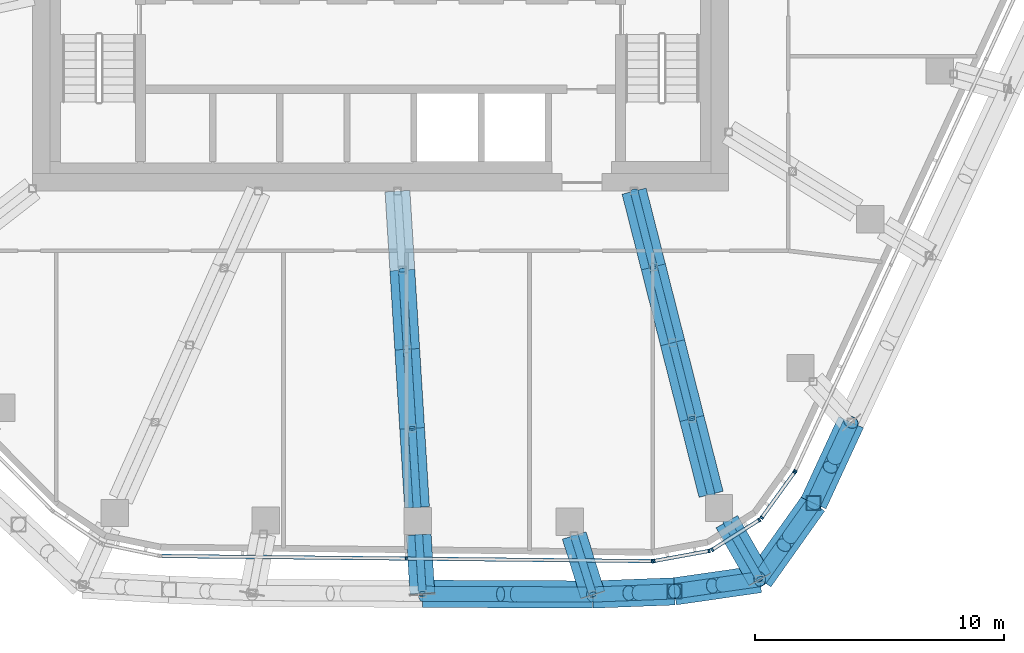
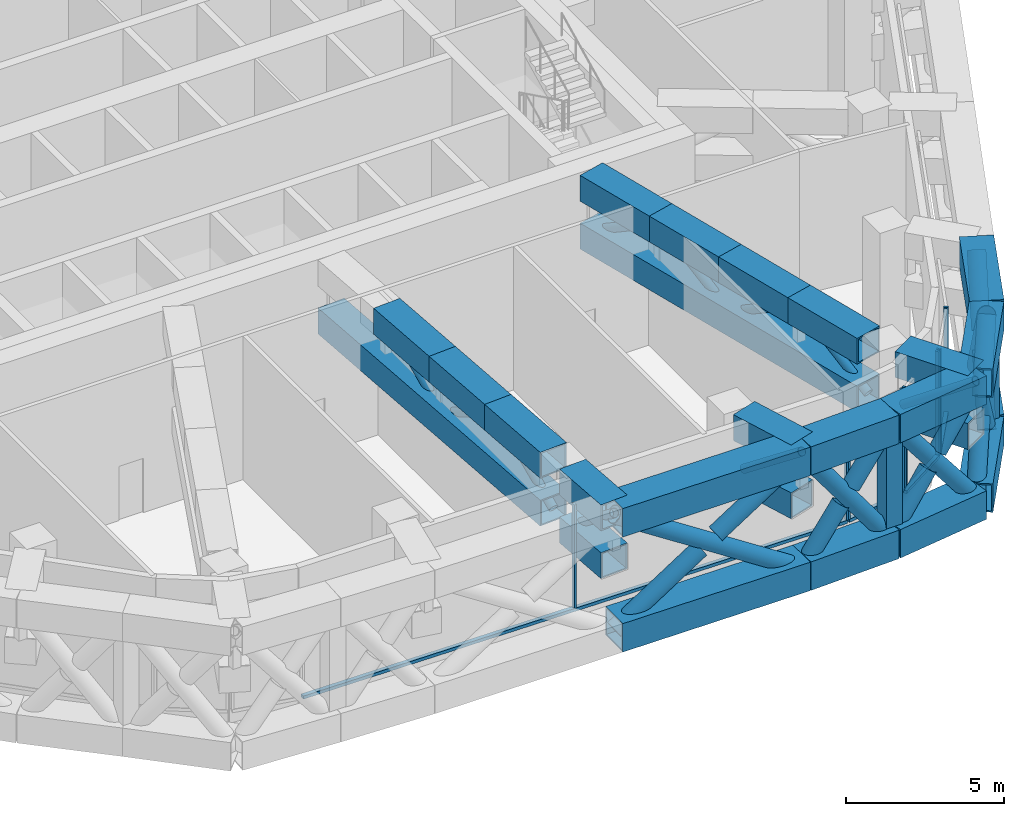
# One storey, part 4 of 31: 65 members, 3 elements without a shape of their own.
"""IFC4 building model written with IfcOpenShell, lengths in metres."""

from ifc_helpers import new_model, si_unit, direction, frame, origin, origin_2d, place, context, subcontext, project, spatial, rectangle, hollow_rectangle, hollow_circle, extrude, material, layer, layer_set, material_profile, profile_set, type_object, element, aggregate, save


model = new_model("IFC4")

# Units and contexts
model_context = context("Model", 3, precision=1e-05, world=origin(), true_north=direction((0.0, 1.0)))
body_context = subcontext(model_context, "Body", "Model", "MODEL_VIEW")
ifc_project = project(units=[si_unit("LENGTHUNIT", "METRE"), si_unit("AREAUNIT", "SQUARE_METRE"), si_unit("VOLUMEUNIT", "CUBIC_METRE"), si_unit("PLANEANGLEUNIT", "RADIAN"), si_unit("MASSUNIT", "GRAM", prefix="KILO")], contexts=[model_context])

# Site, building, storey
site_placement = place(None, origin())
site = spatial("IfcSite", under=ifc_project, at=site_placement, CompositionType="ELEMENT")
building_placement = place(site_placement, origin())
building = spatial("IfcBuilding", under=site, at=building_placement, Name="Dongbaek Canopy Tower", CompositionType="ELEMENT")
storey_placement = place(building_placement, frame((0.0, 0.0, 283.199951171875)))
storey = spatial("IfcBuildingStorey", under=building, at=storey_placement, Name="L60", CompositionType="ELEMENT", Elevation=283.199951171875)

# Members
ifc_material_1 = material(Name="Steel S355", Category="steel")
ifc_material_profile_1 = material_profile(ifc_material_1, hollow_circle(Radius=0.304931640625, WallThickness=0.01611328125, at=origin_2d()), Name="BELT BRACE CHS 610.0x16.0 Steel S355")
ifc_profile_set_1 = profile_set([ifc_material_profile_1], Name="Steel S355")
member_type_1 = type_object("IfcMemberType", Name="BELT BRACE CHS 610.0x16.0 Steel S355", PredefinedType="BRACE", material=ifc_profile_set_1)
member_1_placement = place(storey_placement, frame((18.9248046875, -20.296142578125, 0.550048828125), z_axis=(-0.263589193556, -0.569714815625, 0.778425183238), x_axis=(0.907568709968, -0.419903604042, 0.0)))
element("IfcMember", 1, at=member_1_placement, inside=storey, type_object=member_type_1, Name="BELT:L60:25:D0:0", PredefinedType="BRACE", context=body_context, shape_type="SweptSolid", body=[
    extrude(hollow_circle(Radius=0.304931640625, WallThickness=0.01611328125, at=origin_2d()), origin(), (0.0, 0.0, 1.0), 5.716552734375),
])
member_2_placement = place(storey_placement, frame((17.41796875, -23.552978515625, 0.550048828125), z_axis=(0.263569510646, 0.569708996821, 0.778436106562), x_axis=(-0.907579024773, 0.419881309172, 0.0)))
element("IfcMember", 2, at=member_2_placement, inside=storey, type_object=member_type_1, Name="BELT:L60:25:D0:1", PredefinedType="BRACE", context=body_context, shape_type="SweptSolid", body=[
    extrude(hollow_circle(Radius=0.304931640625, WallThickness=0.01611328125, at=origin_2d()), origin(), (0.0, 0.0, 1.0), 2.54638671875),
])
member_3_placement = place(storey_placement, frame((18.9248046875, -20.296142578125, 5.0), z_axis=(-0.263603583269, -0.569686754529, -0.778440847208), x_axis=(0.907552091124, -0.419939521713, 0.0)))
element("IfcMember", 3, at=member_3_placement, inside=storey, type_object=member_type_1, Name="BELT:L60:25:D0:2", PredefinedType="BRACE", context=body_context, shape_type="SweptSolid", body=[
    extrude(hollow_circle(Radius=0.304931640625, WallThickness=0.01611328125, at=origin_2d()), origin(), (0.0, 0.0, 1.0), 2.546142578125),
])
member_4_placement = place(storey_placement, frame((17.41796875, -23.552978515625, 0.550048828125), z_axis=(-0.372454014758, -0.525138330772, 0.765184775361), x_axis=(0.815671911153, -0.578514765029, 0.0)))
element("IfcMember", 4, at=member_4_placement, inside=storey, type_object=member_type_1, Name="BELT:L60:25:D1:0", PredefinedType="BRACE", context=body_context, shape_type="SweptSolid", body=[
    extrude(hollow_circle(Radius=0.304931640625, WallThickness=0.01611328125, at=origin_2d()), origin(), (0.0, 0.0, 1.0), 5.8154296875),
])
for number, where, z_axis, x_axis, name in (
    (5, (15.251953125, -26.60693359375, 0.550048828125), (0.372475682663, 0.52516816105, 0.765153754774), (-0.815671536786, 0.578515292864, 0.0), "BELT:L60:25:D1:1"),
    (6, (17.41796875, -23.552978515625, 5.0), (-0.372475682663, -0.52516816105, -0.765153754774), (0.815671536786, -0.578515292864, 0.0), "BELT:L60:25:D1:2"),
):
    element("IfcMember", number, at=place(storey_placement, frame(where, z_axis=z_axis, x_axis=x_axis)), inside=storey, type_object=member_type_1, Name=name, PredefinedType="BRACE", context=body_context, shape_type="SweptSolid", body=[
        extrude(hollow_circle(Radius=0.304931640625, WallThickness=0.01611328125, at=origin_2d()), origin(), (0.0, 0.0, 1.0), 2.59814453125),
    ])
member_5_placement = place(storey_placement, frame((15.251953125, -26.60693359375, 0.550048828125), z_axis=(-0.608142882374, -0.087440289159, 0.788997104209), x_axis=(0.142318893502, -0.989820858819, 0.0)))
element("IfcMember", 7, at=member_5_placement, inside=storey, type_object=member_type_1, Name="BELT:L60:0:D0:0", PredefinedType="BRACE", context=body_context, shape_type="SweptSolid", body=[
    extrude(hollow_circle(Radius=0.304931640625, WallThickness=0.01611328125, at=origin_2d()), origin(), (0.0, 0.0, 1.0), 5.639892578125),
])
for number, where, z_axis, x_axis, name in (
    (8, (11.822021484375, -27.10009765625, 0.550048828125), (0.608144524028, 0.087406767834, 0.788999553125), (-0.142265061981, 0.989828597354, 0.0), "BELT:L60:0:D0:1"),
    (9, (15.251953125, -26.60693359375, 5.0), (-0.608139341508, -0.087503465578, -0.788992829385), (0.142420447701, -0.989806251787, 0.0), "BELT:L60:0:D0:2"),
):
    element("IfcMember", number, at=place(storey_placement, frame(where, z_axis=z_axis, x_axis=x_axis)), inside=storey, type_object=member_type_1, Name=name, PredefinedType="BRACE", context=body_context, shape_type="SweptSolid", body=[
        extrude(hollow_circle(Radius=0.304931640625, WallThickness=0.01611328125, at=origin_2d()), origin(), (0.0, 0.0, 1.0), 2.50537109375),
    ])
member_6_placement = place(storey_placement, frame((11.822021484375, -27.10009765625, 0.550048828125), z_axis=(-0.594173297733, -0.022981758583, 0.804008663532), x_axis=(0.038649645208, -0.999252823326, 0.0)))
element("IfcMember", 10, at=member_6_placement, inside=storey, type_object=member_type_1, Name="BELT:L60:0:D1:0", PredefinedType="BRACE", context=body_context, shape_type="SweptSolid", body=[
    extrude(hollow_circle(Radius=0.304931640625, WallThickness=0.01611328125, at=origin_2d()), origin(), (0.0, 0.0, 1.0), 5.53466796875),
])
for number, where, z_axis, x_axis, name in (
    (11, (8.533447265625, -27.227294921875, 0.550048828125), (0.59419410801, 0.023033871279, 0.803991792732), (-0.038735799892, 0.999249487269, 0.0), "BELT:L60:0:D1:1"),
    (12, (11.822021484375, -27.10009765625, 5.0), (-0.59419410801, -0.023033871279, -0.803991792732), (0.038735799892, -0.999249487269, 0.0), "BELT:L60:0:D1:2"),
):
    element("IfcMember", number, at=place(storey_placement, frame(where, z_axis=z_axis, x_axis=x_axis)), inside=storey, type_object=member_type_1, Name=name, PredefinedType="BRACE", context=body_context, shape_type="SweptSolid", body=[
        extrude(hollow_circle(Radius=0.304931640625, WallThickness=0.01611328125, at=origin_2d()), origin(), (0.0, 0.0, 1.0), 2.448486328125),
    ])
member_7_placement = place(storey_placement, frame((8.533447265625, -27.227294921875, 0.550048828125), z_axis=(-0.83859282622, 0.003705959245, 0.544746122225), x_axis=(-0.004419216265, -0.999990235216, 0.0)))
element("IfcMember", 13, at=member_7_placement, inside=storey, type_object=member_type_1, Name="BELT:L60:1:D0:0", PredefinedType="BRACE", context=body_context, shape_type="SweptSolid", body=[
    extrude(hollow_circle(Radius=0.304931640625, WallThickness=0.01611328125, at=origin_2d()), origin(), (0.0, 0.0, 1.0), 8.1689453125),
])
member_8_placement = place(storey_placement, frame((1.68310546875, -27.197021484375, 0.550048828125), z_axis=(0.838585044674, -0.003710265276, 0.54475807179), x_axis=(0.004424391997, 0.99999021233, 0.0)))
element("IfcMember", 14, at=member_8_placement, inside=storey, type_object=member_type_1, Name="BELT:L60:1:D0:1", PredefinedType="BRACE", context=body_context, shape_type="SweptSolid", body=[
    extrude(hollow_circle(Radius=0.304931640625, WallThickness=0.01611328125, at=origin_2d()), origin(), (0.0, 0.0, 1.0), 3.750732421875),
])
member_9_placement = place(storey_placement, frame((8.533447265625, -27.227294921875, 5.0), z_axis=(-0.838614780366, 0.003710396839, -0.544712293883), x_axis=(-0.004424391997, -0.99999021233, 0.0)))
element("IfcMember", 15, at=member_9_placement, inside=storey, type_object=member_type_1, Name="BELT:L60:1:D0:2", PredefinedType="BRACE", context=body_context, shape_type="SweptSolid", body=[
    extrude(hollow_circle(Radius=0.304931640625, WallThickness=0.01611328125, at=origin_2d()), origin(), (0.0, 0.0, 1.0), 3.75048828125),
])
ifc_material_2 = material(Name="Steel S355", Category="steel")
ifc_material_profile_2 = material_profile(ifc_material_2, hollow_rectangle(XDim=1.10009765625, YDim=1.10009765625, WallThickness=0.054931640625, at=origin_2d()), Name="BELT CHORD BOX 1100x1100x55 Steel S355")
ifc_profile_set_2 = profile_set([ifc_material_profile_2], Name="Steel S355")
member_type_2 = type_object("IfcMemberType", Name="BELT CHORD BOX 1100x1100x55 Steel S355", PredefinedType="CHORD", material=ifc_profile_set_2)
for number, where, z_axis, x_axis, name in (
    (16, (18.9248046875, -20.296142578125, 0.550048828125), (-0.419903604042, -0.907568709968, 0.0), (0.907568709968, -0.419903604042, 0.0), "BELT:L60:25:CB0"),
    (17, (18.9248046875, -20.296142578125, 5.0), (-0.419903604042, -0.907568709968, 0.0), (0.907568709968, -0.419903604042, 0.0), "BELT:L60:25:CT0"),
):
    element("IfcMember", number, at=place(storey_placement, frame(where, z_axis=z_axis, x_axis=x_axis)), inside=storey, type_object=member_type_2, Name=name, PredefinedType="CHORD", context=body_context, shape_type="SweptSolid", body=[
        extrude(hollow_rectangle(XDim=1.10009765625, YDim=1.10009765625, WallThickness=0.054931640625, at=origin_2d()), origin(), (0.0, 0.0, 1.0), 3.588623046875),
    ])
for number, where, z_axis, x_axis, name in (
    (18, (17.41796875, -23.552978515625, 0.550048828125), (-0.578514765029, -0.815671911153, 0.0), (0.815671911153, -0.578514765029, 0.0), "BELT:L60:25:CB1"),
    (19, (17.41796875, -23.552978515625, 5.0), (-0.578514765029, -0.815671911153, 0.0), (0.815671911153, -0.578514765029, 0.0), "BELT:L60:25:CT1"),
):
    element("IfcMember", number, at=place(storey_placement, frame(where, z_axis=z_axis, x_axis=x_axis)), inside=storey, type_object=member_type_2, Name=name, PredefinedType="CHORD", context=body_context, shape_type="SweptSolid", body=[
        extrude(hollow_rectangle(XDim=1.10009765625, YDim=1.10009765625, WallThickness=0.054931640625, at=origin_2d()), origin(), (0.0, 0.0, 1.0), 3.744140625),
    ])
for number, where, z_axis, x_axis, name in (
    (20, (15.251953125, -26.60693359375, 0.550048828125), (-0.989820858819, -0.142318893502, 0.0), (0.142318893502, -0.989820858819, 0.0), "BELT:L60:0:CB0"),
    (21, (15.251953125, -26.60693359375, 5.0), (-0.989820858819, -0.142318893502, 0.0), (0.142318893502, -0.989820858819, 0.0), "BELT:L60:0:CT0"),
):
    element("IfcMember", number, at=place(storey_placement, frame(where, z_axis=z_axis, x_axis=x_axis)), inside=storey, type_object=member_type_2, Name=name, PredefinedType="CHORD", context=body_context, shape_type="SweptSolid", body=[
        extrude(hollow_rectangle(XDim=1.10009765625, YDim=1.10009765625, WallThickness=0.054931640625, at=origin_2d()), origin(), (0.0, 0.0, 1.0), 3.465087890625),
    ])
for number, where, z_axis, x_axis, name in (
    (22, (11.822021484375, -27.10009765625, 0.550048828125), (-0.999252823326, -0.038649645208, 0.0), (0.038649645208, -0.999252823326, 0.0), "BELT:L60:0:CB1"),
    (23, (11.822021484375, -27.10009765625, 5.0), (-0.999252823326, -0.038649645208, 0.0), (0.038649645208, -0.999252823326, 0.0), "BELT:L60:0:CT1"),
):
    element("IfcMember", number, at=place(storey_placement, frame(where, z_axis=z_axis, x_axis=x_axis)), inside=storey, type_object=member_type_2, Name=name, PredefinedType="CHORD", context=body_context, shape_type="SweptSolid", body=[
        extrude(hollow_rectangle(XDim=1.10009765625, YDim=1.10009765625, WallThickness=0.054931640625, at=origin_2d()), origin(), (0.0, 0.0, 1.0), 3.291015625),
    ])
for number, where, z_axis, x_axis, name in (
    (24, (8.533447265625, -27.227294921875, 0.550048828125), (-0.999990235216, 0.004419216265, 0.0), (-0.004419216265, -0.999990235216, 0.0), "BELT:L60:1:CB0"),
    (25, (8.533447265625, -27.227294921875, 5.0), (-0.999990235216, 0.004419216265, 0.0), (-0.004419216265, -0.999990235216, 0.0), "BELT:L60:1:CT0"),
):
    element("IfcMember", number, at=place(storey_placement, frame(where, z_axis=z_axis, x_axis=x_axis)), inside=storey, type_object=member_type_2, Name=name, PredefinedType="CHORD", context=body_context, shape_type="SweptSolid", body=[
        extrude(hollow_rectangle(XDim=1.10009765625, YDim=1.10009765625, WallThickness=0.054931640625, at=origin_2d()), origin(), (0.0, 0.0, 1.0), 6.850341796875),
    ])
ifc_material_3 = material(Name="Steel S355", Category="steel")
ifc_material_profile_3 = material_profile(ifc_material_3, hollow_rectangle(XDim=0.60009765625, YDim=0.60009765625, WallThickness=0.031982421875, at=origin_2d()), Name="BELT POST BOX 600x600x32 Steel S355")
ifc_profile_set_3 = profile_set([ifc_material_profile_3], Name="Steel S355")
member_type_3 = type_object("IfcMemberType", Name="BELT POST BOX 600x600x32 Steel S355", PredefinedType="POST", material=ifc_profile_set_3)
for number, where, z_axis, x_axis, name in (
    (26, (17.41796875, -23.552978515625, 1.10009765625), (0.0, 0.0, 1.0), (1.0, 0.0, 0.0), "BELT:L60:25:P1"),
    (27, (11.822021484375, -27.10009765625, 1.10009765625), (0.0, 0.0, 1.0), (1.0, 0.0, 0.0), "BELT:L60:0:P1"),
):
    element("IfcMember", number, at=place(storey_placement, frame(where, z_axis=z_axis, x_axis=x_axis)), inside=storey, type_object=member_type_3, Name=name, PredefinedType="POST", context=body_context, shape_type="SweptSolid", body=[
        extrude(hollow_rectangle(XDim=0.60009765625, YDim=0.60009765625, WallThickness=0.031982421875, at=origin_2d()), origin(), (0.0, 0.0, 1.0), 3.349853515625),
    ])
ifc_material_4 = material(Name="Steel S355", Category="steel")
ifc_material_profile_4 = material_profile(ifc_material_4, hollow_circle(Radius=0.1591796875, WallThickness=0.01025390625, at=origin_2d()), Name="BRACE CHS 318.5x10.3 Steel S355")
ifc_profile_set_4 = profile_set([ifc_material_profile_4], Name="Steel S355")
member_type_4 = type_object("IfcMemberType", Name="BRACE CHS 318.5x10.3 Steel S355", PredefinedType="BRACE", material=ifc_profile_set_4)
member_10_placement = place(storey_placement, frame((7.788330078125, -24.85009765625, 3.199951171875), z_axis=(0.240121532204, -0.766075805723, 0.596212637955), x_axis=(0.954223291779, 0.299095151125, 0.0)))
element("IfcMember", 28, at=member_10_placement, inside=storey, type_object=member_type_4, Name="TRUSS:L60:1:D0", PredefinedType="BRACE", context=body_context, shape_type="SweptSolid", body=[
    extrude(hollow_circle(Radius=0.1591796875, WallThickness=0.01025390625, at=origin_2d()), origin(), (0.0, 0.0, 1.0), 3.10302734375),
])
ifc_material_5 = material(Name="Steel S355", Category="steel")
ifc_material_profile_5 = material_profile(ifc_material_5, hollow_rectangle(XDim=1.0, YDim=1.0, WallThickness=0.050048828125, at=origin_2d()), Name="CHORD BOX 1000x1000x50 Steel S355")
ifc_profile_set_5 = profile_set([ifc_material_profile_5], Name="Steel S355")
member_type_5 = type_object("IfcMemberType", Name="CHORD BOX 1000x1000x50 Steel S355", PredefinedType="CHORD", material=ifc_profile_set_5)
for number, where, z_axis, x_axis, name in (
    (29, (7.788330078125, -24.85009765625, 3.199951171875), (0.299095151125, -0.954223291779, 0.0), (0.954223291779, 0.299095151125, 0.0), "TRUSS:L60:1:CB"),
    (30, (7.788330078125, -24.85009765625, 5.050048828125), (0.299095151125, -0.954223291779, 0.0), (0.954223291779, 0.299095151125, 0.0), "TRUSS:L60:1:CT0"),
):
    element("IfcMember", number, at=place(storey_placement, frame(where, z_axis=z_axis, x_axis=x_axis)), inside=storey, type_object=member_type_5, Name=name, PredefinedType="CHORD", context=body_context, shape_type="SweptSolid", body=[
        extrude(hollow_rectangle(XDim=1.0, YDim=1.0, WallThickness=0.050048828125, at=origin_2d()), origin(), (0.0, 0.0, 1.0), 2.4912109375),
    ])

# Curtain wall, members
ifc_material_6 = material(Name="Aluminium 6063-T6 pale anodised", Category="aluminium")
ifc_layer = layer(ifc_material_6, 0.14990234375)
ifc_layer_set = layer_set([ifc_layer], Name="CW-7 louvre curtain wall")
curtain_wall_type = type_object("IfcCurtainWallType", Name="CW-7 louvre curtain wall", PredefinedType="NOTDEFINED", material=ifc_layer_set)
curtain_wall_1_placement = place(storey_placement, origin())
curtain_wall_1 = element("IfcCurtainWall", 31, at=curtain_wall_1_placement, inside=storey, type_object=curtain_wall_type, Name="CW-7 louvre wall L60 F4", PredefinedType="NOTDEFINED")
ifc_material_7 = material(Name="Aluminium 6063-T6 pale anodised", Category="aluminium")
ifc_material_profile_6 = material_profile(ifc_material_7, rectangle(XDim=0.14990234375, YDim=0.080078125, at=origin_2d()), Name="CW-7 mullion 80 x 150")
ifc_profile_set_6 = profile_set([ifc_material_profile_6], Name="Aluminium 6063-T6 pale anodised")
member_type_6 = type_object("IfcMemberType", Name="CW-7 mullion 80 x 150", PredefinedType="MULLION", material=ifc_profile_set_6)
member_11_placement = place(storey_placement, frame((1.043212890625, -25.7802734375, 0.775146484375), z_axis=(0.0, 0.0, 1.0), x_axis=(-0.010455060118, -0.999945344365, 0.0)))
member_11 = element("IfcMember", 32, at=member_11_placement, type_object=member_type_6, Name="CW-7 mullion L60 F4.1.2", PredefinedType="MULLION", context=body_context, shape_type="SweptSolid", body=[
    extrude(rectangle(XDim=0.14990234375, YDim=0.080078125, at=origin_2d()), origin(), (0.0, 0.0, 1.0), 4.0),
])
member_12_placement = place(storey_placement, frame((10.93359375, -25.8837890625, 0.775146484375), z_axis=(0.0, 0.0, 1.0), x_axis=(-0.010455060118, -0.999945344365, 0.0)))
member_12 = element("IfcMember", 33, at=member_12_placement, type_object=member_type_6, Name="CW-7 mullion L60 F4.1.3", PredefinedType="MULLION", context=body_context, shape_type="SweptSolid", body=[
    extrude(rectangle(XDim=0.14990234375, YDim=0.080078125, at=origin_2d()), origin(), (0.0, 0.0, 1.0), 4.0),
])

curtain_wall_2_placement = place(storey_placement, origin())
curtain_wall_2 = element("IfcCurtainWall", 34, at=curtain_wall_2_placement, inside=storey, type_object=curtain_wall_type, Name="CW-7 louvre wall L60 K5", PredefinedType="NOTDEFINED")
member_13_placement = place(storey_placement, frame((11.000244140625, -25.8779296875, 0.775146484375), z_axis=(0.0, 0.0, 1.0), x_axis=(0.179807455529, -0.983701824201, 0.0)))
member_13 = element("IfcMember", 35, at=member_13_placement, type_object=member_type_6, Name="CW-7 mullion L60 K5.1.1", PredefinedType="MULLION", context=body_context, shape_type="SweptSolid", body=[
    extrude(rectangle(XDim=0.14990234375, YDim=0.080078125, at=origin_2d()), origin(), (0.0, 0.0, 1.0), 4.0),
])
member_14_placement = place(storey_placement, frame((13.215576171875, -25.47314453125, 0.775146484375), z_axis=(0.0, 0.0, 1.0), x_axis=(0.179807455529, -0.983701824201, 0.0)))
member_14 = element("IfcMember", 36, at=member_14_placement, type_object=member_type_6, Name="CW-7 mullion L60 K5.1.2", PredefinedType="MULLION", context=body_context, shape_type="SweptSolid", body=[
    extrude(rectangle(XDim=0.14990234375, YDim=0.080078125, at=origin_2d()), origin(), (0.0, 0.0, 1.0), 4.0),
])
member_15_placement = place(storey_placement, frame((13.33935546875, -25.4248046875, 0.775146484375), z_axis=(0.0, 0.0, 1.0), x_axis=(0.533964565049, -0.84550685584, 0.0)))
member_15 = element("IfcMember", 37, at=member_15_placement, type_object=member_type_6, Name="CW-7 mullion L60 K5.2.1", PredefinedType="MULLION", context=body_context, shape_type="SweptSolid", body=[
    extrude(rectangle(XDim=0.14990234375, YDim=0.080078125, at=origin_2d()), origin(), (0.0, 0.0, 1.0), 4.0),
])
member_16_placement = place(storey_placement, frame((15.2353515625, -24.2275390625, 0.775146484375), z_axis=(0.0, 0.0, 1.0), x_axis=(0.533964565049, -0.84550685584, 0.0)))
member_16 = element("IfcMember", 38, at=member_16_placement, type_object=member_type_6, Name="CW-7 mullion L60 K5.2.2", PredefinedType="MULLION", context=body_context, shape_type="SweptSolid", body=[
    extrude(rectangle(XDim=0.14990234375, YDim=0.080078125, at=origin_2d()), origin(), (0.0, 0.0, 1.0), 4.0),
])
member_17_placement = place(storey_placement, frame((15.332275390625, -24.13623046875, 0.775146484375), z_axis=(0.0, 0.0, 1.0), x_axis=(0.810950388402, -0.585114918244, 0.0)))
member_17 = element("IfcMember", 39, at=member_17_placement, type_object=member_type_6, Name="CW-7 mullion L60 K5.3.1", PredefinedType="MULLION", context=body_context, shape_type="SweptSolid", body=[
    extrude(rectangle(XDim=0.14990234375, YDim=0.080078125, at=origin_2d()), origin(), (0.0, 0.0, 1.0), 4.0),
])
member_18_placement = place(storey_placement, frame((16.64990234375, -22.31005859375, 0.775146484375), z_axis=(0.0, 0.0, 1.0), x_axis=(0.810950388402, -0.585114918244, 0.0)))
member_18 = element("IfcMember", 40, at=member_18_placement, type_object=member_type_6, Name="CW-7 mullion L60 K5.3.2", PredefinedType="MULLION", context=body_context, shape_type="SweptSolid", body=[
    extrude(rectangle(XDim=0.14990234375, YDim=0.080078125, at=origin_2d()), origin(), (0.0, 0.0, 1.0), 4.0),
])

# Curtain wall, member
curtain_wall_3_placement = place(storey_placement, origin())
curtain_wall_3 = element("IfcCurtainWall", 41, at=curtain_wall_3_placement, inside=storey, type_object=curtain_wall_type, Name="CW-7 louvre wall L60 F5", PredefinedType="NOTDEFINED")
member_19_placement = place(storey_placement, frame((16.68359375, -22.25244140625, 0.775146484375), z_axis=(0.0, 0.0, 1.0), x_axis=(0.907385255392, -0.420299890907, 0.0)))
member_19 = element("IfcMember", 42, at=member_19_placement, type_object=member_type_6, Name="CW-7 mullion L60 F5.1.1", PredefinedType="MULLION", context=body_context, shape_type="SweptSolid", body=[
    extrude(rectangle(XDim=0.14990234375, YDim=0.080078125, at=origin_2d()), origin(), (0.0, 0.0, 1.0), 4.0),
])
aggregate(curtain_wall_3, [member_19])

# Member
ifc_material_8 = material(Name="Aluminium 6063-T6 pale anodised", Category="aluminium")
ifc_material_profile_7 = material_profile(ifc_material_8, rectangle(XDim=0.14990234375, YDim=0.1201171875, at=origin_2d()), Name="CW-7 transom 120 x 150")
ifc_profile_set_7 = profile_set([ifc_material_profile_7], Name="Aluminium 6063-T6 pale anodised")
member_type_7 = type_object("IfcMemberType", Name="CW-7 transom 120 x 150", PredefinedType="USERDEFINED", material=ifc_profile_set_7)
member_20_placement = place(storey_placement, frame((-8.84716796875, -25.677001953125, 0.715087890625), z_axis=(0.999945361935, -0.010453379595, 0.0), x_axis=(0.010453379595, 0.999945361935, 0.0)))
member_20 = element("IfcMember", 43, at=member_20_placement, type_object=member_type_7, Name="CW-7 transom L60 F4.1", ObjectType="TRANSOM", PredefinedType="USERDEFINED", context=body_context, shape_type="SweptSolid", body=[
    extrude(rectangle(XDim=0.14990234375, YDim=0.1201171875, at=origin_2d()), origin(), (0.0, 0.0, 1.0), 19.78173828125),
])

aggregate(curtain_wall_1, [member_20, member_11, member_12])

member_21_placement = place(storey_placement, frame((11.000244140625, -25.8779296875, 0.715087890625), z_axis=(0.983713424881, 0.179743978229, 0.0), x_axis=(-0.179743978229, 0.983713424881, 0.0)))
member_21 = element("IfcMember", 44, at=member_21_placement, type_object=member_type_7, Name="CW-7 transom L60 K5.1", ObjectType="TRANSOM", PredefinedType="USERDEFINED", context=body_context, shape_type="SweptSolid", body=[
    extrude(rectangle(XDim=0.14990234375, YDim=0.1201171875, at=origin_2d()), origin(), (0.0, 0.0, 1.0), 2.251953125),
])

member_22_placement = place(storey_placement, frame((13.33935546875, -25.4248046875, 0.715087890625), z_axis=(0.845530294895, 0.533927448643, 0.0), x_axis=(-0.533927448643, 0.845530294895, 0.0)))
member_22 = element("IfcMember", 45, at=member_22_placement, type_object=member_type_7, Name="CW-7 transom L60 K5.2", ObjectType="TRANSOM", PredefinedType="USERDEFINED", context=body_context, shape_type="SweptSolid", body=[
    extrude(rectangle(XDim=0.14990234375, YDim=0.1201171875, at=origin_2d()), origin(), (0.0, 0.0, 1.0), 2.242431640625),
])

member_23_placement = place(storey_placement, frame((15.332275390625, -24.13623046875, 0.715087890625), z_axis=(0.58511840493, 0.810947872685, 0.0), x_axis=(-0.810947872685, 0.58511840493, 0.0)))
member_23 = element("IfcMember", 46, at=member_23_placement, type_object=member_type_7, Name="CW-7 transom L60 K5.3", ObjectType="TRANSOM", PredefinedType="USERDEFINED", context=body_context, shape_type="SweptSolid", body=[
    extrude(rectangle(XDim=0.14990234375, YDim=0.1201171875, at=origin_2d()), origin(), (0.0, 0.0, 1.0), 2.251953125),
])

aggregate(curtain_wall_2, [member_21, member_13, member_14, member_22, member_15, member_16, member_23, member_17, member_18])

# Members
ifc_material_9 = material(Name="Steel S355", Category="steel")
ifc_material_profile_8 = material_profile(ifc_material_9, hollow_circle(Radius=0.1591796875, WallThickness=0.01025390625, at=origin_2d()), Name="OUTRIGGER BRACE CHS 318.5x10.3 Steel S355")
ifc_profile_set_8 = profile_set([ifc_material_profile_8], Name="Steel S355")
member_type_8 = type_object("IfcMemberType", Name="OUTRIGGER BRACE CHS 318.5x10.3 Steel S355", PredefinedType="BRACE", material=ifc_profile_set_8)
for number, where, z_axis, x_axis, name in (
    (47, (10.199951171875, -11.0, 3.199951171875), (0.212128879737, -0.835470696636, 0.506941863969), (0.969245756331, 0.246094826914, 0.0), "TRUSS:L60:0:D0"),
    (48, (10.97412109375, -14.049072265625, 5.050048828125), (0.212140736157, -0.835450492947, -0.506970198234), (0.969241055656, 0.246113339805, 0.0), "TRUSS:L60:0:D1"),
    (49, (11.748291015625, -17.097900390625, 3.199951171875), (0.212128879737, -0.835470696636, 0.506941863969), (0.969245756331, 0.246094826914, 0.0), "TRUSS:L60:0:D2"),
    (50, (12.5224609375, -20.14697265625, 5.050048828125), (0.212128879737, -0.835470696636, -0.506941863969), (0.969245756331, 0.246094826914, 0.0), "TRUSS:L60:0:D3"),
):
    element("IfcMember", number, at=place(storey_placement, frame(where, z_axis=z_axis, x_axis=x_axis)), inside=storey, type_object=member_type_8, Name=name, PredefinedType="BRACE", context=body_context, shape_type="SweptSolid", body=[
        extrude(hollow_circle(Radius=0.1591796875, WallThickness=0.01025390625, at=origin_2d()), origin(), (0.0, 0.0, 1.0), 3.6494140625),
    ])
member_24_placement = place(storey_placement, frame((13.92724609375, -24.2958984375, 3.199951171875), z_axis=(0.408451978947, -0.712570297219, 0.570447677194), x_axis=(0.867576827203, 0.497303176041, 0.0)))
element("IfcMember", 51, at=member_24_placement, inside=storey, type_object=member_type_8, Name="TRUSS:L60:0s:D0", PredefinedType="BRACE", context=body_context, shape_type="SweptSolid", body=[
    extrude(hollow_circle(Radius=0.1591796875, WallThickness=0.01025390625, at=origin_2d()), origin(), (0.0, 0.0, 1.0), 3.2431640625),
])
member_25_placement = place(storey_placement, frame((0.87744140625, -14.180419921875, 5.050048828125), z_axis=(0.053401553176, -0.863170514609, -0.502080607899), x_axis=(0.998091728892, 0.061748690013, 0.0)))
element("IfcMember", 52, at=member_25_placement, inside=storey, type_object=member_type_8, Name="TRUSS:L60:2:D1", PredefinedType="BRACE", context=body_context, shape_type="SweptSolid", body=[
    extrude(hollow_circle(Radius=0.1591796875, WallThickness=0.01025390625, at=origin_2d()), origin(), (0.0, 0.0, 1.0), 3.684814453125),
])
for number, where, z_axis, x_axis, name in (
    (53, (1.07421875, -17.361083984375, 3.199951171875), (0.053404607323, -0.863153622324, 0.502109322942), (0.998091436747, 0.061753411992, 0.0), "TRUSS:L60:2:D2"),
    (54, (1.27099609375, -20.54150390625, 5.050048828125), (0.053470676816, -0.863150566154, -0.502107545123), (0.998086711511, 0.061829736408, 0.0), "TRUSS:L60:2:D3"),
):
    element("IfcMember", number, at=place(storey_placement, frame(where, z_axis=z_axis, x_axis=x_axis)), inside=storey, type_object=member_type_8, Name=name, PredefinedType="BRACE", context=body_context, shape_type="SweptSolid", body=[
        extrude(hollow_circle(Radius=0.1591796875, WallThickness=0.01025390625, at=origin_2d()), origin(), (0.0, 0.0, 1.0), 3.6845703125),
    ])
member_26_placement = place(storey_placement, frame((1.535888671875, -24.822021484375, 3.199951171875), z_axis=(0.048841736363, -0.787947614169, 0.613802119672), x_axis=(0.998084385142, 0.061867278396, 0.0)))
element("IfcMember", 55, at=member_26_placement, inside=storey, type_object=member_type_8, Name="TRUSS:L60:2s:D0", PredefinedType="BRACE", context=body_context, shape_type="SweptSolid", body=[
    extrude(hollow_circle(Radius=0.1591796875, WallThickness=0.01025390625, at=origin_2d()), origin(), (0.0, 0.0, 1.0), 3.01416015625),
])
ifc_material_10 = material(Name="Steel S355", Category="steel")
ifc_material_profile_9 = material_profile(ifc_material_10, hollow_rectangle(XDim=1.0, YDim=1.0, WallThickness=0.050048828125, at=origin_2d()), Name="OUTRIGGER CHORD BOX 1000x1000x50 Steel S355")
ifc_profile_set_9 = profile_set([ifc_material_profile_9], Name="Steel S355")
member_type_9 = type_object("IfcMemberType", Name="OUTRIGGER CHORD BOX 1000x1000x50 Steel S355", PredefinedType="CHORD", material=ifc_profile_set_9)
member_27_placement = place(storey_placement, frame((10.199951171875, -11.0, 3.199951171875), z_axis=(0.246099454884, -0.969244581262, 0.0), x_axis=(0.969244581262, 0.246099454884, 0.0)))
element("IfcMember", 56, at=member_27_placement, inside=storey, type_object=member_type_9, Name="TRUSS:L60:0:CB", PredefinedType="CHORD", context=body_context, shape_type="SweptSolid", body=[
    extrude(hollow_rectangle(XDim=1.0, YDim=1.0, WallThickness=0.050048828125, at=origin_2d()), origin(), (0.0, 0.0, 1.0), 12.5830078125),
])
member_28_placement = place(storey_placement, frame((10.199951171875, -11.0, 5.050048828125), z_axis=(0.246094826914, -0.969245756331, 0.0), x_axis=(0.969245756331, 0.246094826914, 0.0)))
element("IfcMember", 57, at=member_28_placement, inside=storey, type_object=member_type_9, Name="TRUSS:L60:0:CT0", PredefinedType="CHORD", context=body_context, shape_type="SweptSolid", body=[
    extrude(hollow_rectangle(XDim=1.0, YDim=1.0, WallThickness=0.050048828125, at=origin_2d()), origin(), (0.0, 0.0, 1.0), 3.145751953125),
])
member_29_placement = place(storey_placement, frame((10.97412109375, -14.049072265625, 5.050048828125), z_axis=(0.246113339805, -0.969241055656, 0.0), x_axis=(0.969241055656, 0.246113339805, 0.0)))
element("IfcMember", 58, at=member_29_placement, inside=storey, type_object=member_type_9, Name="TRUSS:L60:0:CT1", PredefinedType="CHORD", context=body_context, shape_type="SweptSolid", body=[
    extrude(hollow_rectangle(XDim=1.0, YDim=1.0, WallThickness=0.050048828125, at=origin_2d()), origin(), (0.0, 0.0, 1.0), 3.1455078125),
])
for number, where, z_axis, x_axis, name in (
    (59, (11.748291015625, -17.097900390625, 5.050048828125), (0.246094826914, -0.969245756331, 0.0), (0.969245756331, 0.246094826914, 0.0), "TRUSS:L60:0:CT2"),
    (60, (12.5224609375, -20.14697265625, 5.050048828125), (0.246094826914, -0.969245756331, 0.0), (0.969245756331, 0.246094826914, 0.0), "TRUSS:L60:0:CT3"),
):
    element("IfcMember", number, at=place(storey_placement, frame(where, z_axis=z_axis, x_axis=x_axis)), inside=storey, type_object=member_type_9, Name=name, PredefinedType="CHORD", context=body_context, shape_type="SweptSolid", body=[
        extrude(hollow_rectangle(XDim=1.0, YDim=1.0, WallThickness=0.050048828125, at=origin_2d()), origin(), (0.0, 0.0, 1.0), 3.145751953125),
    ])
for number, where, z_axis, x_axis, name in (
    (61, (13.92724609375, -24.2958984375, 3.199951171875), (0.497303176041, -0.867576827203, 0.0), (0.867576827203, 0.497303176041, 0.0), "TRUSS:L60:0s:CB"),
    (62, (13.92724609375, -24.2958984375, 5.050048828125), (0.497303176041, -0.867576827203, 0.0), (0.867576827203, 0.497303176041, 0.0), "TRUSS:L60:0s:CT0"),
):
    element("IfcMember", number, at=place(storey_placement, frame(where, z_axis=z_axis, x_axis=x_axis)), inside=storey, type_object=member_type_9, Name=name, PredefinedType="CHORD", context=body_context, shape_type="SweptSolid", body=[
        extrude(hollow_rectangle(XDim=1.0, YDim=1.0, WallThickness=0.050048828125, at=origin_2d()), origin(), (0.0, 0.0, 1.0), 2.663818359375),
    ])
member_30_placement = place(storey_placement, frame((0.6806640625, -11.0, 3.199951171875), z_axis=(0.061771312273, -0.998090329068, 0.0), x_axis=(0.998090329068, 0.061771312273, 0.0)))
element("IfcMember", 63, at=member_30_placement, inside=storey, type_object=member_type_9, Name="TRUSS:L60:2:CB", PredefinedType="CHORD", context=body_context, shape_type="SweptSolid", body=[
    extrude(hollow_rectangle(XDim=1.0, YDim=1.0, WallThickness=0.050048828125, at=origin_2d()), origin(), (0.0, 0.0, 1.0), 12.746337890625),
])
member_31_placement = place(storey_placement, frame((0.87744140625, -14.180419921875, 5.050048828125), z_axis=(0.061748690013, -0.998091728892, 0.0), x_axis=(0.998091728892, 0.061748690013, 0.0)))
element("IfcMember", 64, at=member_31_placement, inside=storey, type_object=member_type_9, Name="TRUSS:L60:2:CT1", PredefinedType="CHORD", context=body_context, shape_type="SweptSolid", body=[
    extrude(hollow_rectangle(XDim=1.0, YDim=1.0, WallThickness=0.050048828125, at=origin_2d()), origin(), (0.0, 0.0, 1.0), 3.186767578125),
])
for number, where, z_axis, x_axis, name in (
    (65, (1.07421875, -17.361083984375, 5.050048828125), (0.061753411992, -0.998091436747, 0.0), (0.998091436747, 0.061753411992, 0.0), "TRUSS:L60:2:CT2"),
    (66, (1.27099609375, -20.54150390625, 5.050048828125), (0.061829736408, -0.998086711511, 0.0), (0.998086711511, 0.061829736408, 0.0), "TRUSS:L60:2:CT3"),
):
    element("IfcMember", number, at=place(storey_placement, frame(where, z_axis=z_axis, x_axis=x_axis)), inside=storey, type_object=member_type_9, Name=name, PredefinedType="CHORD", context=body_context, shape_type="SweptSolid", body=[
        extrude(hollow_rectangle(XDim=1.0, YDim=1.0, WallThickness=0.050048828125, at=origin_2d()), origin(), (0.0, 0.0, 1.0), 3.1865234375),
    ])
for number, where, z_axis, x_axis, name in (
    (67, (1.535888671875, -24.822021484375, 3.199951171875), (0.061867278396, -0.998084385142, 0.0), (0.998084385142, 0.061867278396, 0.0), "TRUSS:L60:2s:CB"),
    (68, (1.535888671875, -24.822021484375, 5.050048828125), (0.061867278396, -0.998084385142, 0.0), (0.998084385142, 0.061867278396, 0.0), "TRUSS:L60:2s:CT0"),
):
    element("IfcMember", number, at=place(storey_placement, frame(where, z_axis=z_axis, x_axis=x_axis)), inside=storey, type_object=member_type_9, Name=name, PredefinedType="CHORD", context=body_context, shape_type="SweptSolid", body=[
        extrude(hollow_rectangle(XDim=1.0, YDim=1.0, WallThickness=0.050048828125, at=origin_2d()), origin(), (0.0, 0.0, 1.0), 2.379638671875),
    ])

save(model, "model.ifc")
